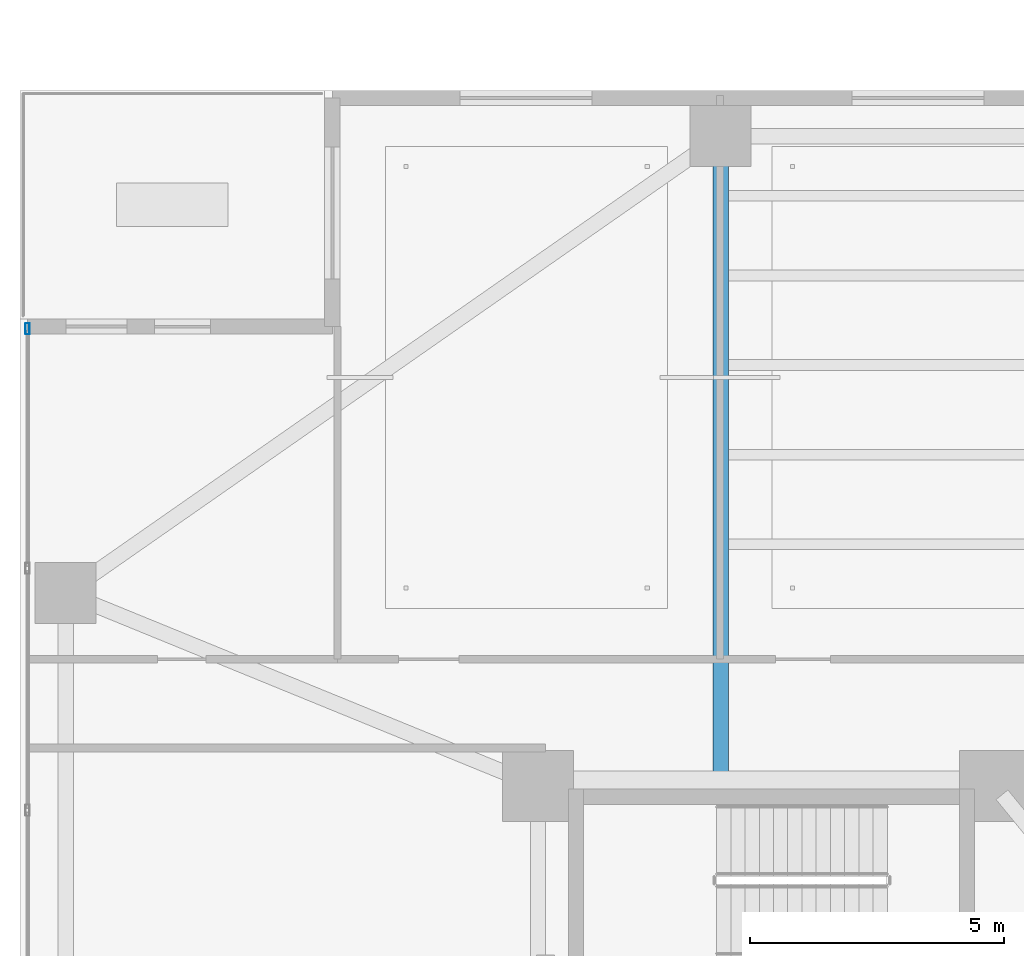
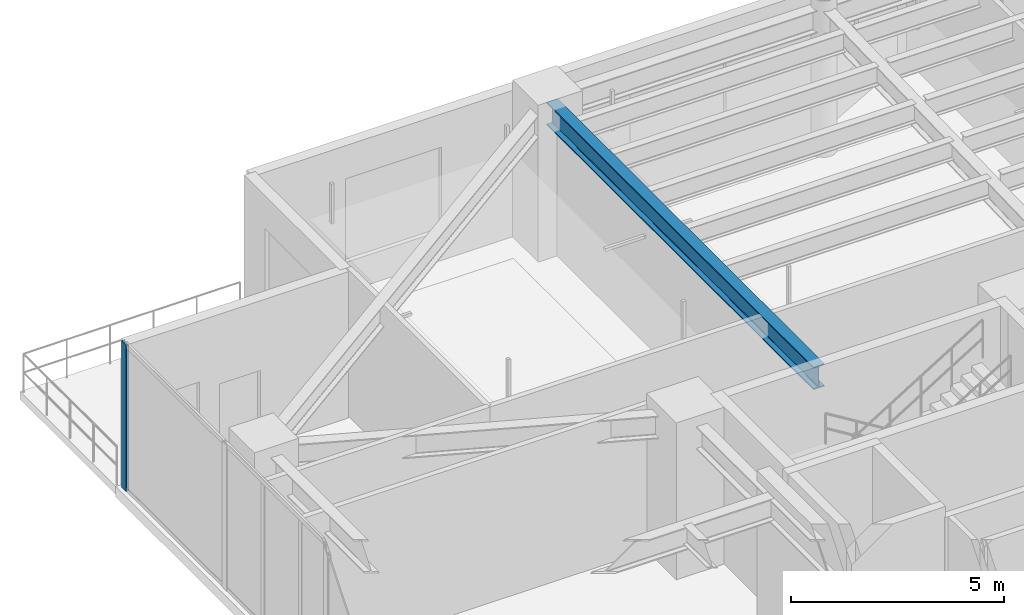
# One storey, part 19 of 39: 1 beam, 1 member, 1 element without a shape of its own.
"""IFC4 building model written with IfcOpenShell, lengths in metres."""

from ifc_helpers import new_model, si_unit, direction, frame, origin, origin_2d, place, context, subcontext, project, spatial, hollow_rectangle, i_section, extrude, material, layer, layer_set, material_profile, profile_set, type_object, element, aggregate, save


model = new_model("IFC4")

# Units and contexts
model_context = context("Model", 3, precision=1e-05, world=origin(), true_north=direction((0.0, 1.0)))
body_context = subcontext(model_context, "Body", "Model", "MODEL_VIEW")
ifc_project = project(units=[si_unit("LENGTHUNIT", "METRE"), si_unit("AREAUNIT", "SQUARE_METRE"), si_unit("VOLUMEUNIT", "CUBIC_METRE"), si_unit("PLANEANGLEUNIT", "RADIAN"), si_unit("MASSUNIT", "GRAM", prefix="KILO")], contexts=[model_context])

# Site, building, storey
site_placement = place(None, origin())
site = spatial("IfcSite", under=ifc_project, at=site_placement, CompositionType="ELEMENT")
building_placement = place(site_placement, origin())
building = spatial("IfcBuilding", under=site, at=building_placement, Name="Tarnavaz Court Tower", CompositionType="ELEMENT")
storey_placement = place(building_placement, frame((0.0, 0.0, 68.699951171875)))
storey = spatial("IfcBuildingStorey", under=building, at=storey_placement, Name="L18", CompositionType="ELEMENT", Elevation=68.699951171875)

# Beam
ifc_material_1 = material(Name="Steel S355", Category="steel")
ifc_material_profile_1 = material_profile(ifc_material_1, i_section(OverallWidth=0.300048828125, OverallDepth=0.64990234375, WebThickness=0.01611328125, FlangeThickness=0.031005859375, FilletRadius=0.027099609375, at=origin_2d()), Name="HEB 650")
ifc_profile_set_1 = profile_set([ifc_material_profile_1], Name="Steel S355")
beam_type = type_object("IfcBeamType", Name="BM-G-HEB650", PredefinedType="USERDEFINED", material=ifc_profile_set_1)
beam_placement = place(storey_placement, frame((-15.0, 10.0400390625, 3.875), z_axis=(0.0, 1.0, 0.0), x_axis=(-1.0, 0.0, 0.0)))
element("IfcBeam", 1, at=beam_placement, inside=storey, type_object=beam_type, Name="L18 Beam RG-01", ObjectType="GIRDER", PredefinedType="USERDEFINED", context=body_context, shape_type="SweptSolid", body=[
    extrude(i_section(OverallWidth=0.300048828125, OverallDepth=0.64990234375, WebThickness=0.01611328125, FlangeThickness=0.031005859375, FilletRadius=0.027099609375, at=origin_2d()), origin(), (0.0, 0.0, 1.0), 12.5400390625),
])

# Curtain wall, member
ifc_material_2 = material(Name="Anodised Aluminium 6063-T6 and Solar Low-E Glazing", Category="aluminium")
ifc_layer = layer(ifc_material_2, 0.199951171875)
ifc_layer_set = layer_set([ifc_layer], Name="Anodised Aluminium 6063-T6 and Solar Low-E Glazing")
curtain_wall_type = type_object("IfcCurtainWallType", Name="CW-SYS-05", PredefinedType="NOTDEFINED", material=ifc_layer_set)
curtain_wall_placement = place(storey_placement, origin())
curtain_wall = element("IfcCurtainWall", 2, at=curtain_wall_placement, inside=storey, type_object=curtain_wall_type, Name="L18 Sky-Portal Curtain Wall 2", PredefinedType="NOTDEFINED")
ifc_material_3 = material(Name="Anodised Aluminium 6063-T6", Category="aluminium")
ifc_material_profile_2 = material_profile(ifc_material_3, hollow_rectangle(XDim=0.0849609375, YDim=0.219970703125, WallThickness=0.006103515625, InnerFilletRadius=0.006103515625, OuterFilletRadius=0.011962890625, at=origin_2d()), Name="ALU RHS 220X85X6")
ifc_profile_set_2 = profile_set([ifc_material_profile_2], Name="Anodised Aluminium 6063-T6")
member_type = type_object("IfcMemberType", Name="CW-MUL-220", PredefinedType="MULLION", material=ifc_profile_set_2)
member_placement = place(storey_placement, frame((-28.64990234375, 19.007568359375, 0.0), z_axis=(0.0, 0.0, 1.0), x_axis=(-1.0, 0.0, 0.0)))
member = element("IfcMember", 3, at=member_placement, type_object=member_type, Name="CW mullion 9", PredefinedType="MULLION", context=body_context, shape_type="SweptSolid", body=[
    extrude(hollow_rectangle(XDim=0.0849609375, YDim=0.219970703125, WallThickness=0.006103515625, InnerFilletRadius=0.006103515625, OuterFilletRadius=0.011962890625, at=origin_2d()), origin(), (0.0, 0.0, 1.0), 4.199951171875),
])
aggregate(curtain_wall, [member])

save(model, "model.ifc")
